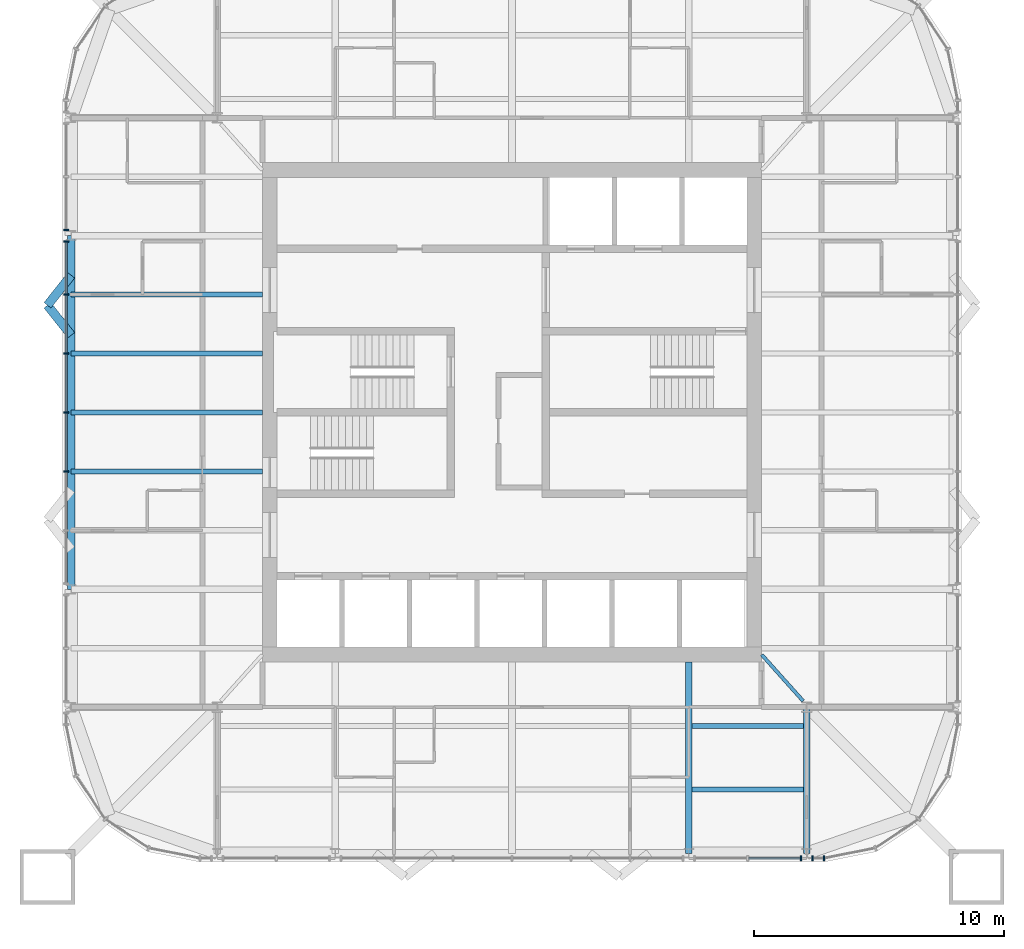
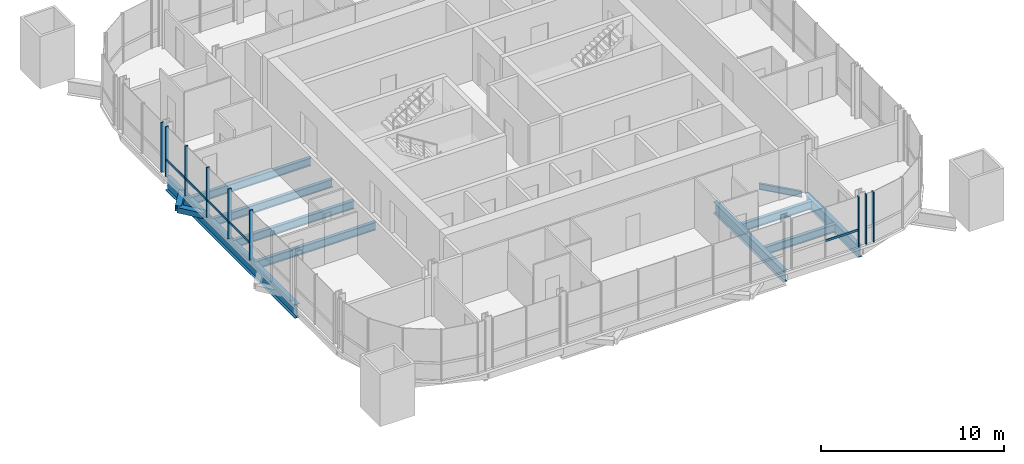
# One storey, part 3 of 17: 14 members, 12 beams, 4 elements without a shape of their own.
"""IFC4 building model written with IfcOpenShell, lengths in metres."""

from ifc_helpers import new_model, si_unit, direction, frame, origin, origin_2d, place, context, subcontext, project, spatial, rectangle, hollow_rectangle, i_section, extrude, material, material_profile, profile_set, type_object, element, aggregate, save


model = new_model("IFC4")

# Units and contexts
model_context = context("Model", 3, precision=1e-05, world=origin(), true_north=direction((0.0, 1.0)))
body_context = subcontext(model_context, "Body", "Model", "MODEL_VIEW")
ifc_project = project(units=[si_unit("LENGTHUNIT", "METRE"), si_unit("AREAUNIT", "SQUARE_METRE"), si_unit("VOLUMEUNIT", "CUBIC_METRE"), si_unit("PLANEANGLEUNIT", "RADIAN"), si_unit("MASSUNIT", "GRAM", prefix="KILO")], contexts=[model_context])

# Site, building, storey
site_placement = place(None, origin())
site = spatial("IfcSite", under=ifc_project, at=site_placement, CompositionType="ELEMENT")
building_placement = place(site_placement, origin())
building = spatial("IfcBuilding", under=site, at=building_placement, Name="Turquesa Mirador Hotel Tower", CompositionType="ELEMENT")
storey_placement = place(building_placement, frame((0.0, 0.0, 254.699951171875)))
storey = spatial("IfcBuildingStorey", under=building, at=storey_placement, Name="L69", CompositionType="ELEMENT", Elevation=254.699951171875)

# Beams
ifc_material_1 = material(Name="Steel ASTM A992 Grade 50", Category="steel")
ifc_material_profile_1 = material_profile(ifc_material_1, i_section(OverallWidth=0.140380859375, OverallDepth=0.40380859375, WebThickness=0.007080078125, FlangeThickness=0.01123046875, at=origin_2d()), Name="W16X31")
ifc_profile_set_1 = profile_set([ifc_material_profile_1], Name="Steel ASTM A992 Grade 50")
beam_type_1 = type_object("IfcBeamType", Name="BEAM W16X31", PredefinedType="BEAM", material=ifc_profile_set_1)
beam_1_placement = place(storey_placement, frame((66.656494140625, 33.44873046875, -0.371826171875), z_axis=(-0.666806350186, 0.745231032198, 0.0), x_axis=(-0.745231032198, -0.666806350186, 0.0)))
element("IfcBeam", 1, at=beam_1_placement, inside=storey, type_object=beam_type_1, Name="KT-L69-4", PredefinedType="BEAM", context=body_context, shape_type="SweptSolid", body=[
    extrude(i_section(OverallWidth=0.140380859375, OverallDepth=0.40380859375, WebThickness=0.007080078125, FlangeThickness=0.01123046875, at=origin_2d()), origin(), (0.0, 0.0, 1.0), 2.484130859375),
])
ifc_material_2 = material(Name="Steel ASTM A992 Grade 50", Category="steel")
ifc_material_profile_2 = material_profile(ifc_material_2, i_section(OverallWidth=0.209228515625, OverallDepth=0.533447265625, WebThickness=0.01025390625, FlangeThickness=0.015625, at=origin_2d()), Name="W21X62")
ifc_profile_set_2 = profile_set([ifc_material_profile_2], Name="Steel ASTM A992 Grade 50")
beam_type_2 = type_object("IfcBeamType", Name="BEAM W21X62", PredefinedType="BEAM", material=ifc_profile_set_2)
for number, where, z_axis, x_axis, name in (
    (2, (62.21337890625, 32.449951171875, -0.436767578125), (1.0, 0.0, 0.0), (0.0, 1.0, 0.0), "IB-L69-S-1-3"),
    (3, (62.21337890625, 29.89990234375, -0.436767578125), (1.0, 0.0, 0.0), (0.0, 1.0, 0.0), "IB-L69-S-2-3"),
):
    element("IfcBeam", number, at=place(storey_placement, frame(where, z_axis=z_axis, x_axis=x_axis)), inside=storey, type_object=beam_type_2, Name=name, PredefinedType="BEAM", context=body_context, shape_type="SweptSolid", body=[
        extrude(i_section(OverallWidth=0.209228515625, OverallDepth=0.533447265625, WebThickness=0.01025390625, FlangeThickness=0.015625, at=origin_2d()), origin(), (0.0, 0.0, 1.0), 4.453369140625),
    ])
for number, where, z_axis, x_axis, name in (
    (4, (37.35009765625, 42.639892578125, -0.436767578125), (1.0, 0.0, 0.0), (0.0, 1.0, 0.0), "BM-L69-W--2.36"),
    (5, (37.35009765625, 45.0, -0.436767578125), (1.0, 0.0, 0.0), (0.0, 1.0, 0.0), "BM-L69-W-+0.00"),
    (6, (37.35009765625, 47.360107421875, -0.436767578125), (1.0, 0.0, 0.0), (0.0, 1.0, 0.0), "BM-L69-W-+2.36"),
    (7, (37.35009765625, 49.719970703125, -0.436767578125), (1.0, 0.0, 0.0), (0.0, 1.0, 0.0), "BM-L69-W-+4.72"),
):
    element("IfcBeam", number, at=place(storey_placement, frame(where, z_axis=z_axis, x_axis=x_axis)), inside=storey, type_object=beam_type_2, Name=name, PredefinedType="BEAM", context=body_context, shape_type="SweptSolid", body=[
        extrude(i_section(OverallWidth=0.209228515625, OverallDepth=0.533447265625, WebThickness=0.01025390625, FlangeThickness=0.015625, at=origin_2d()), origin(), (0.0, 0.0, 1.0), 7.64990234375),
    ])
ifc_material_3 = material(Name="Steel ASTM A992 Grade 50", Category="steel")
ifc_material_profile_3 = material_profile(ifc_material_3, i_section(OverallWidth=0.2666015625, OverallDepth=0.7568359375, WebThickness=0.013916015625, FlangeThickness=0.019287109375, at=origin_2d()), Name="W30X108")
ifc_profile_set_3 = profile_set([ifc_material_profile_3], Name="Steel ASTM A992 Grade 50")
beam_type_3 = type_object("IfcBeamType", Name="BEAM W30X108", PredefinedType="BEAM", material=ifc_profile_set_3)
beam_2_placement = place(storey_placement, frame((62.080078125, 27.35009765625, -0.54833984375), z_axis=(0.0, 1.0, 0.0), x_axis=(-1.0, 0.0, 0.0)))
element("IfcBeam", 8, at=beam_2_placement, inside=storey, type_object=beam_type_3, Name="GD-L69-S-+7.08", PredefinedType="BEAM", context=body_context, shape_type="SweptSolid", body=[
    extrude(i_section(OverallWidth=0.2666015625, OverallDepth=0.7568359375, WebThickness=0.013916015625, FlangeThickness=0.019287109375, at=origin_2d()), origin(), (0.0, 0.0, 1.0), 7.64990234375),
])
beam_3_placement = place(storey_placement, frame((66.800048828125, 27.35009765625, -0.54833984375), z_axis=(0.0, 1.0, 0.0), x_axis=(-1.0, 0.0, 0.0)))
element("IfcBeam", 9, at=beam_3_placement, inside=storey, type_object=beam_type_3, Name="GK-L69-S-+11.80", PredefinedType="BEAM", context=body_context, shape_type="SweptSolid", body=[
    extrude(i_section(OverallWidth=0.2666015625, OverallDepth=0.7568359375, WebThickness=0.013916015625, FlangeThickness=0.019287109375, at=origin_2d()), origin(), (0.0, 0.0, 1.0), 5.849853515625),
])
ifc_material_4 = material(Name="Steel ASTM A992 Grade 50", Category="steel")
ifc_material_profile_4 = material_profile(ifc_material_4, i_section(OverallWidth=0.3046875, OverallDepth=0.911865234375, WebThickness=0.015869140625, FlangeThickness=0.02392578125, at=origin_2d()), Name="W36X150")
ifc_profile_set_4 = profile_set([ifc_material_profile_4], Name="Steel ASTM A992 Grade 50")
beam_type_4 = type_object("IfcBeamType", Name="BEAM W36X150", PredefinedType="BEAM", material=ifc_profile_set_4)
beam_4_placement = place(storey_placement, frame((37.35009765625, 37.919921875, -0.6259765625), z_axis=(0.0, 1.0, 0.0), x_axis=(-1.0, 0.0, 0.0)))
element("IfcBeam", 10, at=beam_4_placement, inside=storey, type_object=beam_type_4, Name="EB-L69-W-C", PredefinedType="BEAM", context=body_context, shape_type="SweptSolid", body=[
    extrude(i_section(OverallWidth=0.3046875, OverallDepth=0.911865234375, WebThickness=0.015869140625, FlangeThickness=0.02392578125, at=origin_2d()), origin(), (0.0, 0.0, 1.0), 14.16015625),
])
ifc_material_5 = material(Name="Steel ASTM A500 Grade C", Category="steel")
ifc_material_profile_5 = material_profile(ifc_material_5, hollow_rectangle(XDim=0.355712890625, YDim=0.355712890625, WallThickness=0.0146484375, at=origin_2d()), Name="HSS14X14X5/8")
ifc_profile_set_5 = profile_set([ifc_material_profile_5], Name="Steel ASTM A500 Grade C")
beam_type_5 = type_object("IfcBeamType", Name="BRACE STRUT HSS14X14X5/8", PredefinedType="BEAM", material=ifc_profile_set_5)
for number, where, z_axis, x_axis, name in (
    (11, (36.39990234375, 49.292236328125, -0.34765625), (0.620796907089, -0.783971428146, 0.0), (0.783971428146, 0.620796907089, 0.0), "Brace strut"),
    (12, (36.39990234375, 49.292236328125, -0.34765625), (0.620796907089, 0.783971428146, 0.0), (-0.783971428146, 0.620796907089, 0.0), "Brace strut"),
):
    element("IfcBeam", number, at=place(storey_placement, frame(where, z_axis=z_axis, x_axis=x_axis)), inside=storey, type_object=beam_type_5, Name=name, PredefinedType="BEAM", context=body_context, shape_type="SweptSolid", body=[
        extrude(hollow_rectangle(XDim=0.355712890625, YDim=0.355712890625, WallThickness=0.0146484375, at=origin_2d()), origin(), (0.0, 0.0, 1.0), 1.530517578125),
    ])

# Curtain wall, member
ifc_material_6 = material(Name="Aluminium extrusion", Category="aluminium")
curtain_wall_type = type_object("IfcCurtainWallType", Name="CW-4 SUITE FRITTED CURTAIN WALL", PredefinedType="USERDEFINED", material=ifc_material_6)
curtain_wall_1_placement = place(storey_placement, origin())
curtain_wall_1 = element("IfcCurtainWall", 13, at=curtain_wall_1_placement, inside=storey, type_object=curtain_wall_type, Name="CW-4 SUITE FRITTED CURTAIN WALL L69", ObjectType="CURTAIN WALL", PredefinedType="USERDEFINED")
ifc_material_7 = material(Name="Aluminium extrusion", Category="aluminium")
ifc_material_profile_6 = material_profile(ifc_material_7, rectangle(XDim=0.06494140625, YDim=0.199951171875, at=origin_2d()), Name="MULLION 65X200")
ifc_profile_set_6 = profile_set([ifc_material_profile_6], Name="Aluminium extrusion")
member_type_1 = type_object("IfcMemberType", Name="CW MULLION 65X200", PredefinedType="MULLION", material=ifc_profile_set_6)
member_1_placement = place(storey_placement, frame((37.14990234375, 52.31396484375, 0.0), z_axis=(0.0, 0.0, 1.0), x_axis=(0.0, -1.0, 0.0)))
member_1 = element("IfcMember", 14, at=member_1_placement, type_object=member_type_1, Name="Mullion", PredefinedType="MULLION", context=body_context, shape_type="SweptSolid", body=[
    extrude(rectangle(XDim=0.06494140625, YDim=0.199951171875, at=origin_2d()), origin(), (0.0, 0.0, 1.0), 3.330078125),
])
aggregate(curtain_wall_1, [member_1])

# Curtain wall, members
curtain_wall_2_placement = place(storey_placement, origin())
curtain_wall_2 = element("IfcCurtainWall", 15, at=curtain_wall_2_placement, inside=storey, type_object=curtain_wall_type, Name="CW-4 SUITE FRITTED CURTAIN WALL L69", ObjectType="CURTAIN WALL", PredefinedType="USERDEFINED")
member_2_placement = place(storey_placement, frame((37.14990234375, 51.84619140625, 0.0), z_axis=(0.0, 0.0, 1.0), x_axis=(0.0, -1.0, 0.0)))
member_2 = element("IfcMember", 16, at=member_2_placement, type_object=member_type_1, Name="Mullion", PredefinedType="MULLION", context=body_context, shape_type="SweptSolid", body=[
    extrude(rectangle(XDim=0.06494140625, YDim=0.199951171875, at=origin_2d()), origin(), (0.0, 0.0, 1.0), 3.330078125),
])
member_3_placement = place(storey_placement, frame((37.14990234375, 49.719970703125, 0.0), z_axis=(0.0, 0.0, 1.0), x_axis=(0.0, -1.0, 0.0)))
member_3 = element("IfcMember", 17, at=member_3_placement, type_object=member_type_1, Name="Mullion", PredefinedType="MULLION", context=body_context, shape_type="SweptSolid", body=[
    extrude(rectangle(XDim=0.06494140625, YDim=0.199951171875, at=origin_2d()), origin(), (0.0, 0.0, 1.0), 3.330078125),
])
member_4_placement = place(storey_placement, frame((37.14990234375, 47.360107421875, 0.0), z_axis=(0.0, 0.0, 1.0), x_axis=(0.0, -1.0, 0.0)))
member_4 = element("IfcMember", 18, at=member_4_placement, type_object=member_type_1, Name="Mullion", PredefinedType="MULLION", context=body_context, shape_type="SweptSolid", body=[
    extrude(rectangle(XDim=0.06494140625, YDim=0.199951171875, at=origin_2d()), origin(), (0.0, 0.0, 1.0), 3.330078125),
])
member_5_placement = place(storey_placement, frame((37.14990234375, 45.0, 0.0), z_axis=(0.0, 0.0, 1.0), x_axis=(0.0, -1.0, 0.0)))
member_5 = element("IfcMember", 19, at=member_5_placement, type_object=member_type_1, Name="Mullion", PredefinedType="MULLION", context=body_context, shape_type="SweptSolid", body=[
    extrude(rectangle(XDim=0.06494140625, YDim=0.199951171875, at=origin_2d()), origin(), (0.0, 0.0, 1.0), 3.330078125),
])
member_6_placement = place(storey_placement, frame((37.14990234375, 42.639892578125, 0.0), z_axis=(0.0, 0.0, 1.0), x_axis=(0.0, -1.0, 0.0)))
member_6 = element("IfcMember", 20, at=member_6_placement, type_object=member_type_1, Name="Mullion", PredefinedType="MULLION", context=body_context, shape_type="SweptSolid", body=[
    extrude(rectangle(XDim=0.06494140625, YDim=0.199951171875, at=origin_2d()), origin(), (0.0, 0.0, 1.0), 3.330078125),
])

# Curtain wall, member
curtain_wall_3_placement = place(storey_placement, origin())
curtain_wall_3 = element("IfcCurtainWall", 21, at=curtain_wall_3_placement, inside=storey, type_object=curtain_wall_type, Name="CW-4 SUITE FRITTED CURTAIN WALL L69", ObjectType="CURTAIN WALL", PredefinedType="USERDEFINED")
member_7_placement = place(storey_placement, frame((66.566162109375, 27.14990234375, 0.0), z_axis=(0.0, 0.0, 1.0), x_axis=(1.0, 0.0, 0.0)))
member_7 = element("IfcMember", 22, at=member_7_placement, type_object=member_type_1, Name="Mullion", PredefinedType="MULLION", context=body_context, shape_type="SweptSolid", body=[
    extrude(rectangle(XDim=0.06494140625, YDim=0.199951171875, at=origin_2d()), origin(), (0.0, 0.0, 1.0), 3.330078125),
])

# Curtain wall, members
curtain_wall_4_placement = place(storey_placement, origin())
curtain_wall_4 = element("IfcCurtainWall", 23, at=curtain_wall_4_placement, inside=storey, type_object=curtain_wall_type, Name="CW-4 SUITE FRITTED CURTAIN WALL L69", ObjectType="CURTAIN WALL", PredefinedType="USERDEFINED")
member_8_placement = place(storey_placement, frame((67.033935546875, 27.14990234375, 0.0), z_axis=(0.0, 0.0, 1.0), x_axis=(1.0, 0.0, 0.0)))
member_8 = element("IfcMember", 24, at=member_8_placement, type_object=member_type_1, Name="Mullion", PredefinedType="MULLION", context=body_context, shape_type="SweptSolid", body=[
    extrude(rectangle(XDim=0.06494140625, YDim=0.199951171875, at=origin_2d()), origin(), (0.0, 0.0, 1.0), 3.330078125),
])
member_9_placement = place(storey_placement, frame((67.5, 27.14990234375, 0.0), z_axis=(0.0, 0.0, 1.0), x_axis=(1.0, 0.0, 0.0)))
member_9 = element("IfcMember", 25, at=member_9_placement, type_object=member_type_1, Name="Mullion", PredefinedType="MULLION", context=body_context, shape_type="SweptSolid", body=[
    extrude(rectangle(XDim=0.06494140625, YDim=0.199951171875, at=origin_2d()), origin(), (0.0, 0.0, 1.0), 3.330078125),
])
aggregate(curtain_wall_4, [member_8, member_9])

# Member
ifc_material_8 = material(Name="Aluminium extrusion", Category="aluminium")
ifc_material_profile_7 = material_profile(ifc_material_8, rectangle(XDim=0.06494140625, YDim=0.14990234375, at=origin_2d()), Name="TRANSOM 65X150")
ifc_profile_set_7 = profile_set([ifc_material_profile_7], Name="Aluminium extrusion")
member_type_2 = type_object("IfcMemberType", Name="CW TRANSOM 65X150", PredefinedType="USERDEFINED", material=ifc_profile_set_7)
member_10_placement = place(storey_placement, frame((37.14990234375, 51.813720703125, 1.10009765625), z_axis=(0.0, -1.0, 0.0), x_axis=(1.0, 0.0, 0.0)))
member_10 = element("IfcMember", 26, at=member_10_placement, type_object=member_type_2, Name="Transom", ObjectType="TRANSOM", PredefinedType="USERDEFINED", context=body_context, shape_type="SweptSolid", body=[
    extrude(rectangle(XDim=0.06494140625, YDim=0.14990234375, at=origin_2d()), origin(), (0.0, 0.0, 1.0), 2.061279296875),
])

member_11_placement = place(storey_placement, frame((37.14990234375, 49.6875, 1.10009765625), z_axis=(0.0, -1.0, 0.0), x_axis=(1.0, 0.0, 0.0)))
member_11 = element("IfcMember", 27, at=member_11_placement, type_object=member_type_2, Name="Transom", ObjectType="TRANSOM", PredefinedType="USERDEFINED", context=body_context, shape_type="SweptSolid", body=[
    extrude(rectangle(XDim=0.06494140625, YDim=0.14990234375, at=origin_2d()), origin(), (0.0, 0.0, 1.0), 2.294921875),
])

member_12_placement = place(storey_placement, frame((37.14990234375, 47.327392578125, 1.10009765625), z_axis=(0.0, -1.0, 0.0), x_axis=(1.0, 0.0, 0.0)))
member_12 = element("IfcMember", 28, at=member_12_placement, type_object=member_type_2, Name="Transom", ObjectType="TRANSOM", PredefinedType="USERDEFINED", context=body_context, shape_type="SweptSolid", body=[
    extrude(rectangle(XDim=0.06494140625, YDim=0.14990234375, at=origin_2d()), origin(), (0.0, 0.0, 1.0), 2.294921875),
])

member_13_placement = place(storey_placement, frame((37.14990234375, 44.967529296875, 1.10009765625), z_axis=(0.0, -1.0, 0.0), x_axis=(1.0, 0.0, 0.0)))
member_13 = element("IfcMember", 29, at=member_13_placement, type_object=member_type_2, Name="Transom", ObjectType="TRANSOM", PredefinedType="USERDEFINED", context=body_context, shape_type="SweptSolid", body=[
    extrude(rectangle(XDim=0.06494140625, YDim=0.14990234375, at=origin_2d()), origin(), (0.0, 0.0, 1.0), 2.294921875),
])

aggregate(curtain_wall_2, [member_2, member_3, member_4, member_5, member_6, member_10, member_11, member_12, member_13])

member_14_placement = place(storey_placement, frame((64.472412109375, 27.14990234375, 1.10009765625), z_axis=(1.0, 0.0, 0.0), x_axis=(0.0, 1.0, 0.0)))
member_14 = element("IfcMember", 30, at=member_14_placement, type_object=member_type_2, Name="Transom", ObjectType="TRANSOM", PredefinedType="USERDEFINED", context=body_context, shape_type="SweptSolid", body=[
    extrude(rectangle(XDim=0.06494140625, YDim=0.14990234375, at=origin_2d()), origin(), (0.0, 0.0, 1.0), 2.061279296875),
])

aggregate(curtain_wall_3, [member_7, member_14])

save(model, "model.ifc")
